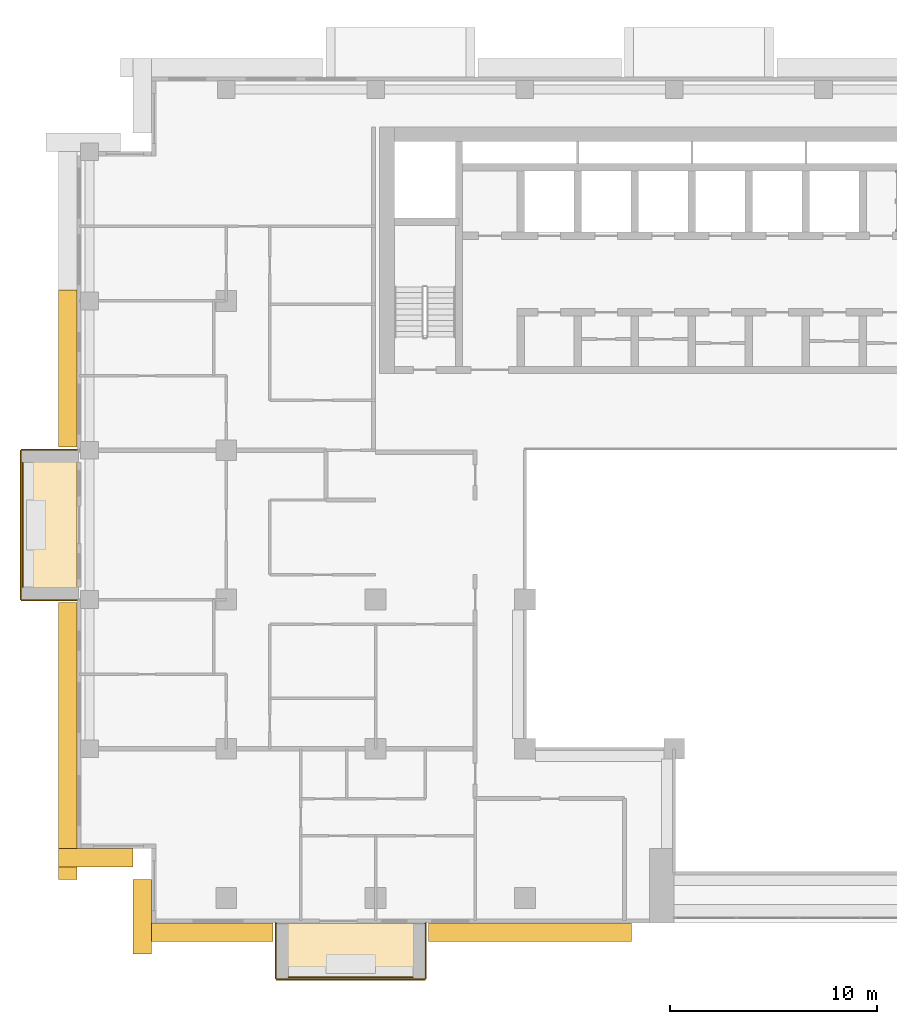
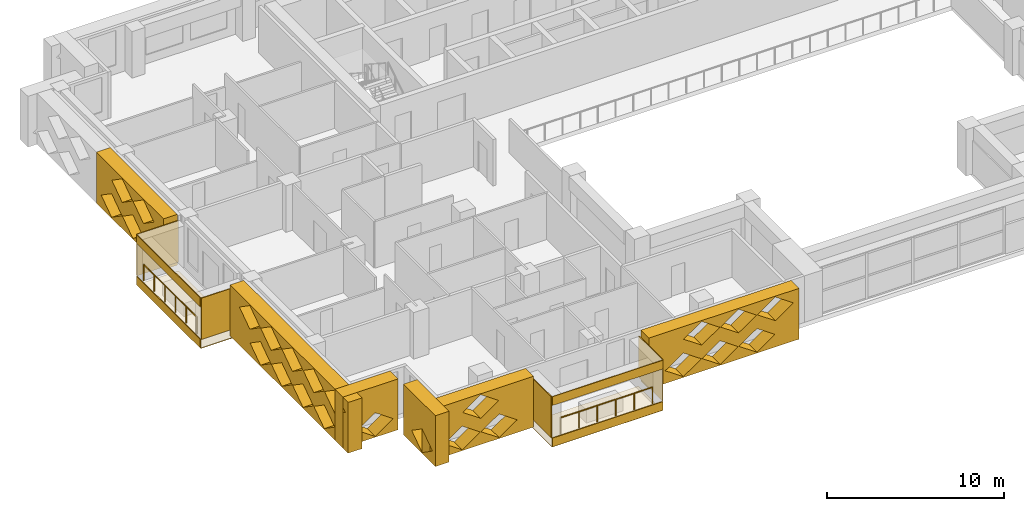
# One storey, part 14 of 20: 16 coverings, 2 railings.
"""IFC4 building model written with IfcOpenShell, lengths in metres."""

from ifc_helpers import new_model, si_unit, direction, frame, origin, origin_2d, place, context, subcontext, project, spatial, polyline, circle, outline, extrude, material, layer, layer_set, type_object, element, save


model = new_model("IFC4")

# Units and contexts
model_context = context("Model", 3, precision=1e-05, world=origin(), true_north=direction((0.0, 1.0)))
body_context = subcontext(model_context, "Body", "Model", "MODEL_VIEW")
ifc_project = project(units=[si_unit("LENGTHUNIT", "METRE"), si_unit("AREAUNIT", "SQUARE_METRE"), si_unit("VOLUMEUNIT", "CUBIC_METRE"), si_unit("PLANEANGLEUNIT", "RADIAN"), si_unit("MASSUNIT", "GRAM", prefix="KILO")], contexts=[model_context])

# Site, building, storey
site_placement = place(None, origin())
site = spatial("IfcSite", under=ifc_project, at=site_placement, CompositionType="ELEMENT")
building_placement = place(site_placement, origin())
building = spatial("IfcBuilding", under=site, at=building_placement, Name="Saffron Iwan Residences", CompositionType="ELEMENT")
storey_placement = place(building_placement, frame((0.0, 0.0, 164.0)))
storey = spatial("IfcBuildingStorey", under=building, at=storey_placement, Name="L43", CompositionType="ELEMENT", Elevation=164.0)

# Railings
ifc_material_1 = material(Name="Stainless steel 316", Category="steel")
railing_type = type_object("IfcRailingType", Name="BALCONY GUARD 1150", PredefinedType="GUARDRAIL", material=ifc_material_1)
railing_1_placement = place(storey_placement, frame((11.77490234375, 61.800048828125, 0.0)))
element("IfcRailing", 1, at=railing_1_placement, inside=storey, type_object=railing_type, Name="Balcony guard L43 F8-0", PredefinedType="GUARDRAIL", context=body_context, shape_type="SweptSolid", body=[
    extrude(circle(Radius=0.02392578125, at=origin_2d()), frame((0.0, 0.0, 1.1259765625), z_axis=(0.0, -1.0, 0.0), x_axis=(1.0, 0.0, 0.0)), (0.0, 0.0, 1.0), 6.0),
    extrude(circle(Radius=0.02099609375, at=origin_2d()), origin(), (0.0, 0.0, 1.0), 1.101806640625),
    extrude(circle(Radius=0.02099609375, at=origin_2d()), frame((0.0, -1.199951171875, 0.0)), (0.0, 0.0, 1.0), 1.101806640625),
    extrude(circle(Radius=0.02099609375, at=origin_2d()), frame((0.0, -2.39990234375, 0.0)), (0.0, 0.0, 1.0), 1.101806640625),
    extrude(circle(Radius=0.02099609375, at=origin_2d()), frame((0.0, -3.60009765625, 0.0)), (0.0, 0.0, 1.0), 1.101806640625),
    extrude(circle(Radius=0.02099609375, at=origin_2d()), frame((0.0, -4.800048828125, 0.0)), (0.0, 0.0, 1.0), 1.101806640625),
    extrude(circle(Radius=0.02099609375, at=origin_2d()), frame((0.0, -6.0, 0.0)), (0.0, 0.0, 1.0), 1.101806640625),
])
railing_2_placement = place(storey_placement, frame((24.60009765625, 36.97509765625, 0.0)))
element("IfcRailing", 2, at=railing_2_placement, inside=storey, type_object=railing_type, Name="Balcony guard L43 11-0", PredefinedType="GUARDRAIL", context=body_context, shape_type="SweptSolid", body=[
    extrude(circle(Radius=0.02392578125, at=origin_2d()), frame((0.0, 0.0, 1.1259765625), z_axis=(1.0, 0.0, 0.0), x_axis=(0.0, 1.0, 0.0)), (0.0, 0.0, 1.0), 6.0),
    extrude(circle(Radius=0.02099609375, at=origin_2d()), origin(), (0.0, 0.0, 1.0), 1.101806640625),
    extrude(circle(Radius=0.02099609375, at=origin_2d()), frame((1.199951171875, 0.0, 0.0)), (0.0, 0.0, 1.0), 1.101806640625),
    extrude(circle(Radius=0.02099609375, at=origin_2d()), frame((2.39990234375, 0.0, 0.0)), (0.0, 0.0, 1.0), 1.101806640625),
    extrude(circle(Radius=0.02099609375, at=origin_2d()), frame((3.60009765625, 0.0, 0.0)), (0.0, 0.0, 1.0), 1.101806640625),
    extrude(circle(Radius=0.02099609375, at=origin_2d()), frame((4.800048828125, 0.0, 0.0)), (0.0, 0.0, 1.0), 1.101806640625),
    extrude(circle(Radius=0.02099609375, at=origin_2d()), frame((6.0, 0.0, 0.0)), (0.0, 0.0, 1.0), 1.101806640625),
])

# Coverings
ifc_material_2 = material(Name="Precast concrete C40/50 white painted", Category="concrete")
ifc_layer = layer(ifc_material_2, 0.050048828125)
ifc_layer_set = layer_set([ifc_layer], Name="Precast concrete C40/50 white painted")
covering_type_1 = type_object("IfcCoveringType", Name="FRAME SKIN PRECAST WHITE 50", PredefinedType="CLADDING", material=ifc_layer_set)
for number, where, name in (
    (3, (0.0, 0.0, -0.60009765625), "Frame skin slab edge L43 F8-0"),
    (4, (0.0, 0.0, 2.25), "Frame skin fascia L43 F8-0"),
):
    element("IfcCovering", number, at=place(storey_placement, frame(where)), inside=storey, type_object=covering_type_1, Name=name, PredefinedType="CLADDING", context=body_context, shape_type="SweptSolid", body=[
        extrude(outline(polyline([(11.64990234375, 62.39990234375), (11.64990234375, 55.199951171875), (11.699951171875, 55.199951171875), (11.699951171875, 62.39990234375), (11.64990234375, 62.39990234375)])), origin(), (0.0, 0.0, 1.0), 0.60009765625),
    ])
covering_1_placement = place(storey_placement, frame((0.0, 0.0, -0.64990234375)))
element("IfcCovering", 5, at=covering_1_placement, inside=storey, type_object=covering_type_1, Name="Frame skin soffit L43 F8-0", PredefinedType="CLADDING", context=body_context, shape_type="SweptSolid", body=[
    extrude(outline(polyline([(11.699951171875, 62.39990234375), (11.699951171875, 55.199951171875), (14.39990234375, 55.199951171875), (14.39990234375, 62.39990234375), (11.699951171875, 62.39990234375)])), origin(), (0.0, 0.0, 1.0), 0.0498046875),
])
covering_2_placement = place(storey_placement, origin())
element("IfcCovering", 6, at=covering_2_placement, inside=storey, type_object=covering_type_1, Name="Frame skin fin L43 F8-0a", PredefinedType="CLADDING", context=body_context, shape_type="SweptSolid", body=[
    extrude(outline(polyline([(11.699951171875, 62.449951171875), (11.699951171875, 62.39990234375), (14.39990234375, 62.39990234375), (14.39990234375, 62.449951171875), (11.699951171875, 62.449951171875)])), origin(), (0.0, 0.0, 1.0), 2.85009765625),
])
covering_3_placement = place(storey_placement, origin())
element("IfcCovering", 7, at=covering_3_placement, inside=storey, type_object=covering_type_1, Name="Frame skin fin L43 F8-0b", PredefinedType="CLADDING", context=body_context, shape_type="SweptSolid", body=[
    extrude(outline(polyline([(11.699951171875, 55.199951171875), (11.699951171875, 55.14990234375), (14.39990234375, 55.14990234375), (14.39990234375, 55.199951171875), (11.699951171875, 55.199951171875)])), origin(), (0.0, 0.0, 1.0), 2.85009765625),
])
for number, where, name in (
    (8, (0.0, 0.0, -0.60009765625), "Frame skin slab edge L43 11-0"),
    (9, (0.0, 0.0, 2.25), "Frame skin fascia L43 11-0"),
):
    element("IfcCovering", number, at=place(storey_placement, frame(where)), inside=storey, type_object=covering_type_1, Name=name, PredefinedType="CLADDING", context=body_context, shape_type="SweptSolid", body=[
        extrude(outline(polyline([(24.0, 36.85009765625), (31.199951171875, 36.85009765625), (31.199951171875, 36.89990234375), (24.0, 36.89990234375), (24.0, 36.85009765625)])), origin(), (0.0, 0.0, 1.0), 0.60009765625),
    ])
covering_4_placement = place(storey_placement, frame((0.0, 0.0, -0.64990234375)))
element("IfcCovering", 10, at=covering_4_placement, inside=storey, type_object=covering_type_1, Name="Frame skin soffit L43 11-0", PredefinedType="CLADDING", context=body_context, shape_type="SweptSolid", body=[
    extrude(outline(polyline([(24.0, 36.89990234375), (31.199951171875, 36.89990234375), (31.199951171875, 39.60009765625), (24.0, 39.60009765625), (24.0, 36.89990234375)])), origin(), (0.0, 0.0, 1.0), 0.0498046875),
])
covering_5_placement = place(storey_placement, origin())
element("IfcCovering", 11, at=covering_5_placement, inside=storey, type_object=covering_type_1, Name="Frame skin fin L43 11-0a", PredefinedType="CLADDING", context=body_context, shape_type="SweptSolid", body=[
    extrude(outline(polyline([(23.949951171875, 36.89990234375), (24.0, 36.89990234375), (24.0, 39.60009765625), (23.949951171875, 39.60009765625), (23.949951171875, 36.89990234375)])), origin(), (0.0, 0.0, 1.0), 2.85009765625),
])
covering_6_placement = place(storey_placement, origin())
element("IfcCovering", 12, at=covering_6_placement, inside=storey, type_object=covering_type_1, Name="Frame skin fin L43 11-0b", PredefinedType="CLADDING", context=body_context, shape_type="SweptSolid", body=[
    extrude(outline(polyline([(31.199951171875, 36.89990234375), (31.25, 36.89990234375), (31.25, 39.60009765625), (31.199951171875, 39.60009765625), (31.199951171875, 36.89990234375)])), origin(), (0.0, 0.0, 1.0), 2.85009765625),
])
ifc_material_3 = material(Name="Precast concrete C40/50", Category="concrete")
covering_type_2 = type_object("IfcCoveringType", Name="OUTER SKIN LATTICE SCREEN", PredefinedType="CLADDING", material=ifc_material_3)
covering_7_placement = place(storey_placement, frame((14.39990234375, 70.125, -0.300048828125), z_axis=(-1.0, 0.0, 0.0), x_axis=(0.0, -1.0, 0.0)))
element("IfcCovering", 13, at=covering_7_placement, inside=storey, type_object=covering_type_2, Name="OUTER SKIN lattice screen L43 F8.1", PredefinedType="CLADDING", context=body_context, shape_type="SweptSolid", body=[
    extrude(outline(polyline([(0.0, 0.0), (7.574951171875, 0.0), (7.574951171875, 3.5), (0.0, 3.5), (0.0, 0.0)]), holes=[polyline([(0.544921875, 0.875), (1.72509765625, 0.06005859375), (2.905029296875, 0.875), (1.72509765625, 1.68994140625), (0.544921875, 0.875)]), polyline([(2.945068359375, 0.875), (4.125, 0.06005859375), (5.304931640625, 0.875), (4.125, 1.68994140625), (2.945068359375, 0.875)]), polyline([(1.7451171875, 2.625), (2.925048828125, 1.81005859375), (4.10498046875, 2.625), (2.925048828125, 3.43994140625), (1.7451171875, 2.625)]), polyline([(4.14501953125, 2.625), (5.324951171875, 1.81005859375), (6.5048828125, 2.625), (5.324951171875, 3.43994140625), (4.14501953125, 2.625)])]), origin(), (0.0, 0.0, 1.0), 0.89990234375),
])
covering_8_placement = place(storey_placement, frame((14.39990234375, 55.050048828125, -0.300048828125), z_axis=(-1.0, 0.0, 0.0), x_axis=(0.0, -1.0, 0.0)))
element("IfcCovering", 14, at=covering_8_placement, inside=storey, type_object=covering_type_2, Name="OUTER SKIN lattice screen L43 F8.2", PredefinedType="CLADDING", context=body_context, shape_type="SweptSolid", body=[
    extrude(outline(polyline([(0.0, 0.0), (13.35009765625, 0.0), (13.35009765625, 3.5), (0.0, 3.5), (0.0, 0.0)]), holes=[polyline([(2.27001953125, 0.875), (3.449951171875, 0.06005859375), (4.6298828125, 0.875), (3.449951171875, 1.68994140625), (2.27001953125, 0.875)]), polyline([(4.669921875, 0.875), (5.85009765625, 0.06005859375), (7.030029296875, 0.875), (5.85009765625, 1.68994140625), (4.669921875, 0.875)]), polyline([(7.070068359375, 0.875), (8.25, 0.06005859375), (9.429931640625, 0.875), (8.25, 1.68994140625), (7.070068359375, 0.875)]), polyline([(9.469970703125, 0.875), (10.64990234375, 0.06005859375), (11.830078125, 0.875), (10.64990234375, 1.68994140625), (9.469970703125, 0.875)]), polyline([(1.070068359375, 2.625), (2.25, 1.81005859375), (3.429931640625, 2.625), (2.25, 3.43994140625), (1.070068359375, 2.625)]), polyline([(3.469970703125, 2.625), (4.64990234375, 1.81005859375), (5.830078125, 2.625), (4.64990234375, 3.43994140625), (3.469970703125, 2.625)]), polyline([(5.8701171875, 2.625), (7.050048828125, 1.81005859375), (8.22998046875, 2.625), (7.050048828125, 3.43994140625), (5.8701171875, 2.625)]), polyline([(8.27001953125, 2.625), (9.449951171875, 1.81005859375), (10.6298828125, 2.625), (9.449951171875, 3.43994140625), (8.27001953125, 2.625)]), polyline([(10.669921875, 2.625), (11.85009765625, 1.81005859375), (13.030029296875, 2.625), (11.85009765625, 3.43994140625), (10.669921875, 2.625)])]), origin(), (0.0, 0.0, 1.0), 0.89990234375),
])
for number, where, z_axis, x_axis, name in (
    (15, (13.5, 43.199951171875, -0.300048828125), (0.0, -1.0, 0.0), (1.0, 0.0, 0.0), "OUTER SKIN lattice screen L43 F9.0"),
    (16, (18.0, 41.699951171875, -0.300048828125), (-1.0, 0.0, 0.0), (0.0, -1.0, 0.0), "OUTER SKIN lattice screen L43 F10.0"),
):
    element("IfcCovering", number, at=place(storey_placement, frame(where, z_axis=z_axis, x_axis=x_axis)), inside=storey, type_object=covering_type_2, Name=name, PredefinedType="CLADDING", context=body_context, shape_type="SweptSolid", body=[
        extrude(outline(polyline([(0.0, 0.0), (3.60009765625, 0.0), (3.60009765625, 3.5), (0.0, 3.5), (0.0, 0.0)]), holes=[polyline([(0.919921875, 0.875), (2.10009765625, 0.06005859375), (3.280029296875, 0.875), (2.10009765625, 1.68994140625), (0.919921875, 0.875)])]), origin(), (0.0, 0.0, 1.0), 0.89990234375),
    ])
covering_9_placement = place(storey_placement, frame((17.10009765625, 39.60009765625, -0.300048828125), z_axis=(0.0, -1.0, 0.0), x_axis=(1.0, 0.0, 0.0)))
element("IfcCovering", 17, at=covering_9_placement, inside=storey, type_object=covering_type_2, Name="OUTER SKIN lattice screen L43 F11.0", PredefinedType="CLADDING", context=body_context, shape_type="SweptSolid", body=[
    extrude(outline(polyline([(0.0, 0.0), (6.75, 0.0), (6.75, 3.5), (0.0, 3.5), (0.0, 0.0)]), holes=[polyline([(0.919921875, 0.875), (2.10009765625, 0.06005859375), (3.280029296875, 0.875), (2.10009765625, 1.68994140625), (0.919921875, 0.875)]), polyline([(3.320068359375, 0.875), (4.5, 0.06005859375), (5.679931640625, 0.875), (4.5, 1.68994140625), (3.320068359375, 0.875)]), polyline([(2.1201171875, 2.625), (3.300048828125, 1.81005859375), (4.47998046875, 2.625), (3.300048828125, 3.43994140625), (2.1201171875, 2.625)])]), origin(), (0.0, 0.0, 1.0), 0.900146484375),
])
covering_10_placement = place(storey_placement, frame((31.35009765625, 39.60009765625, -0.300048828125), z_axis=(0.0, -1.0, 0.0), x_axis=(1.0, 0.0, 0.0)))
element("IfcCovering", 18, at=covering_10_placement, inside=storey, type_object=covering_type_2, Name="OUTER SKIN lattice screen L43 F11.1", PredefinedType="CLADDING", context=body_context, shape_type="SweptSolid", body=[
    extrude(outline(polyline([(0.0, 0.0), (9.800048828125, 0.0), (9.800048828125, 3.5), (0.0, 3.5), (0.0, 0.0)]), holes=[polyline([(1.070068359375, 0.875), (2.25, 0.06005859375), (3.429931640625, 0.875), (2.25, 1.68994140625), (1.070068359375, 0.875)]), polyline([(3.469970703125, 0.875), (4.64990234375, 0.06005859375), (5.830078125, 0.875), (4.64990234375, 1.68994140625), (3.469970703125, 0.875)]), polyline([(5.8701171875, 0.875), (7.050048828125, 0.06005859375), (8.22998046875, 0.875), (7.050048828125, 1.68994140625), (5.8701171875, 0.875)]), polyline([(2.27001953125, 2.625), (3.449951171875, 1.81005859375), (4.6298828125, 2.625), (3.449951171875, 3.43994140625), (2.27001953125, 2.625)]), polyline([(4.669921875, 2.625), (5.85009765625, 1.81005859375), (7.030029296875, 2.625), (5.85009765625, 3.43994140625), (4.669921875, 2.625)]), polyline([(7.070068359375, 2.625), (8.25, 1.81005859375), (9.429931640625, 2.625), (8.25, 3.43994140625), (7.070068359375, 2.625)])]), origin(), (0.0, 0.0, 1.0), 0.900146484375),
])

save(model, "model.ifc")
